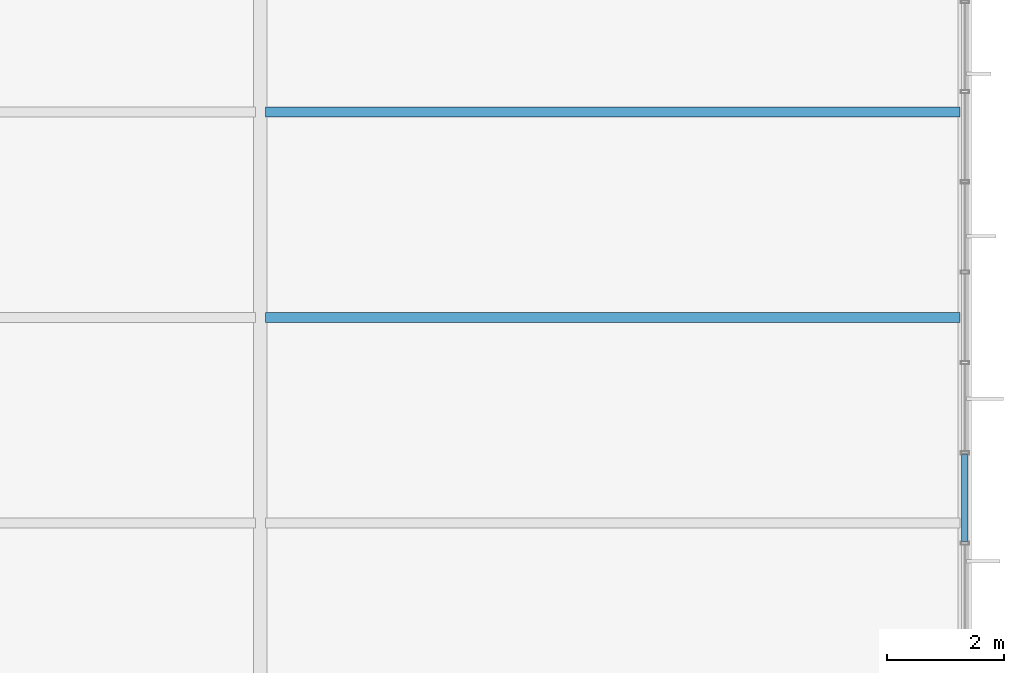
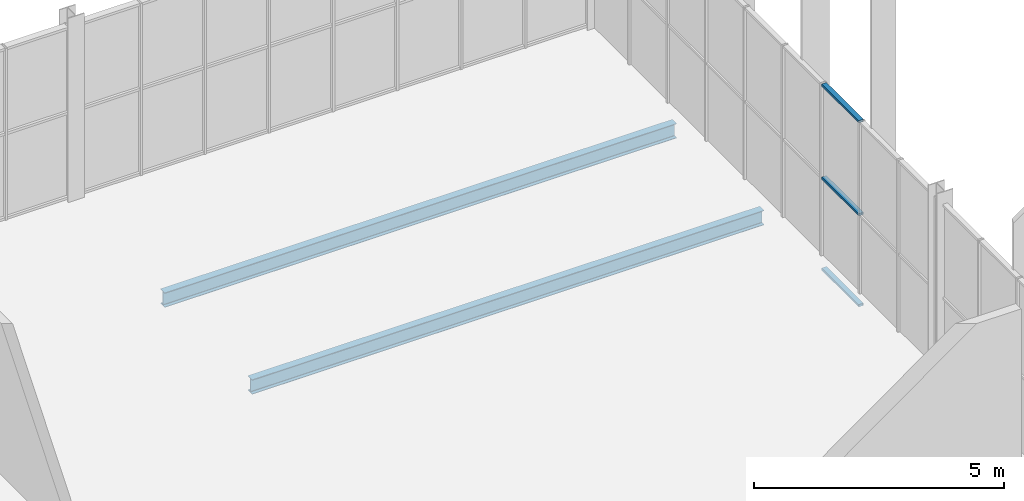
# One storey, part 207 of 324: 3 members, 2 beams, 1 element without a shape of its own.
"""IFC4 building model written with IfcOpenShell, lengths in metres."""

from ifc_helpers import new_model, si_unit, direction, frame, origin, origin_2d, place, context, subcontext, project, spatial, hollow_rectangle, i_section, extrude, material, layer, layer_set, material_profile, profile_set, type_object, element, aggregate, save


model = new_model("IFC4")

# Units and contexts
model_context = context("Model", 3, precision=1e-05, world=origin(), true_north=direction((0.0, 1.0)))
body_context = subcontext(model_context, "Body", "Model", "MODEL_VIEW")
ifc_project = project(units=[si_unit("LENGTHUNIT", "METRE"), si_unit("AREAUNIT", "SQUARE_METRE"), si_unit("VOLUMEUNIT", "CUBIC_METRE"), si_unit("PLANEANGLEUNIT", "RADIAN"), si_unit("MASSUNIT", "GRAM", prefix="KILO")], contexts=[model_context])

# Site, building, storey
site_placement = place(None, origin())
site = spatial("IfcSite", under=ifc_project, at=site_placement, CompositionType="ELEMENT")
building_placement = place(site_placement, origin())
building = spatial("IfcBuilding", under=site, at=building_placement, Name="Solvenia Promenade Tram Depot", CompositionType="ELEMENT")
storey_placement = place(building_placement, frame((0.0, 0.0, 4.5)))
storey = spatial("IfcBuildingStorey", under=building, at=storey_placement, Name="L01", CompositionType="ELEMENT", Elevation=4.5)

# Curtain wall, members
ifc_material_1 = material(Name="Anodized aluminium AW-6063 T6", Category="aluminium")
ifc_layer = layer(ifc_material_1, 0.080078125, Name="Anodized aluminium AW-6063 T6", Category="aluminium")
ifc_layer_set = layer_set([ifc_layer], Name="Anodized aluminium AW-6063 T6")
curtain_wall_type = type_object("IfcCurtainWallType", Name="CW-Clerest-1500", PredefinedType="NOTDEFINED", material=ifc_layer_set)
curtain_wall_placement = place(storey_placement, origin())
curtain_wall = element("IfcCurtainWall", 1, at=curtain_wall_placement, inside=storey, type_object=curtain_wall_type, Name="Curtain Wall CW-V2E-L1-3", PredefinedType="NOTDEFINED")
ifc_material_profile_1 = material_profile(ifc_material_1, hollow_rectangle(XDim=0.110107421875, YDim=0.054931640625, WallThickness=0.00390625, at=origin_2d()), Name="ALU-T4", Category="aluminium")
ifc_profile_set_1 = profile_set([ifc_material_profile_1], Name="Anodized aluminium AW-6063 T6")
member_type = type_object("IfcMemberType", Name="CWT-Transom-4", PredefinedType="USERDEFINED", material=ifc_profile_set_1)
member_1_placement = place(storey_placement, frame((186.0, 55.18310546875, -0.322509765625), z_axis=(0.0, 1.0, 0.0), x_axis=(-1.0, 0.0, 0.0)))
member_1 = element("IfcMember", 2, at=member_1_placement, type_object=member_type, Name="CW-4 transom 3.1", ObjectType="TRANSOM", PredefinedType="USERDEFINED", context=body_context, shape_type="SweptSolid", body=[
    extrude(hollow_rectangle(XDim=0.110107421875, YDim=0.054931640625, WallThickness=0.00390625, at=origin_2d()), origin(), (0.0, 0.0, 1.0), 1.482666015625),
])
member_2_placement = place(storey_placement, frame((186.0, 55.18310546875, 1.89990234375), z_axis=(0.0, 1.0, 0.0), x_axis=(-1.0, 0.0, 0.0)))
member_2 = element("IfcMember", 3, at=member_2_placement, type_object=member_type, Name="CW-4 transom 3.2", ObjectType="TRANSOM", PredefinedType="USERDEFINED", context=body_context, shape_type="SweptSolid", body=[
    extrude(hollow_rectangle(XDim=0.110107421875, YDim=0.054931640625, WallThickness=0.00390625, at=origin_2d()), origin(), (0.0, 0.0, 1.0), 1.482666015625),
])
member_3_placement = place(storey_placement, frame((186.0, 55.18310546875, 4.172607421875), z_axis=(0.0, 1.0, 0.0), x_axis=(-1.0, 0.0, 0.0)))
member_3 = element("IfcMember", 4, at=member_3_placement, type_object=member_type, Name="CW-4 transom 3.3", ObjectType="TRANSOM", PredefinedType="USERDEFINED", context=body_context, shape_type="SweptSolid", body=[
    extrude(hollow_rectangle(XDim=0.110107421875, YDim=0.054931640625, WallThickness=0.00390625, at=origin_2d()), origin(), (0.0, 0.0, 1.0), 1.482666015625),
])
aggregate(curtain_wall, [member_1, member_2, member_3])

# Beams
ifc_material_2 = material(Name="Structural steel ASTM A992 Gr. 50", Category="steel")
ifc_material_profile_2 = material_profile(ifc_material_2, i_section(OverallWidth=0.172119140625, OverallDepth=0.35791015625, WebThickness=0.0078125, FlangeThickness=0.01318359375, FilletRadius=0.010986328125, at=origin_2d()), Name="W360x57", Category="steel")
ifc_profile_set_2 = profile_set([ifc_material_profile_2], Name="Structural steel ASTM A992 Gr. 50")
beam_type = type_object("IfcBeamType", Name="Joist-W360x57", PredefinedType="JOIST", material=ifc_profile_set_2)
for number, where, z_axis, x_axis, name in (
    (5, (174.0849609375, 59.0, -0.4189453125), (1.0, 0.0, 0.0), (0.0, 1.0, 0.0), "Secondary Floor Joist BM-L01-0209"),
    (6, (174.0849609375, 62.5, -0.4189453125), (1.0, 0.0, 0.0), (0.0, 1.0, 0.0), "Secondary Floor Joist BM-L01-0210"),
):
    element("IfcBeam", number, at=place(storey_placement, frame(where, z_axis=z_axis, x_axis=x_axis)), inside=storey, type_object=beam_type, Name=name, PredefinedType="JOIST", context=body_context, shape_type="SweptSolid", body=[
        extrude(i_section(OverallWidth=0.172119140625, OverallDepth=0.35791015625, WebThickness=0.0078125, FlangeThickness=0.01318359375, FilletRadius=0.010986328125, at=origin_2d()), origin(), (0.0, 0.0, 1.0), 11.830078125),
    ])

save(model, "model.ifc")
